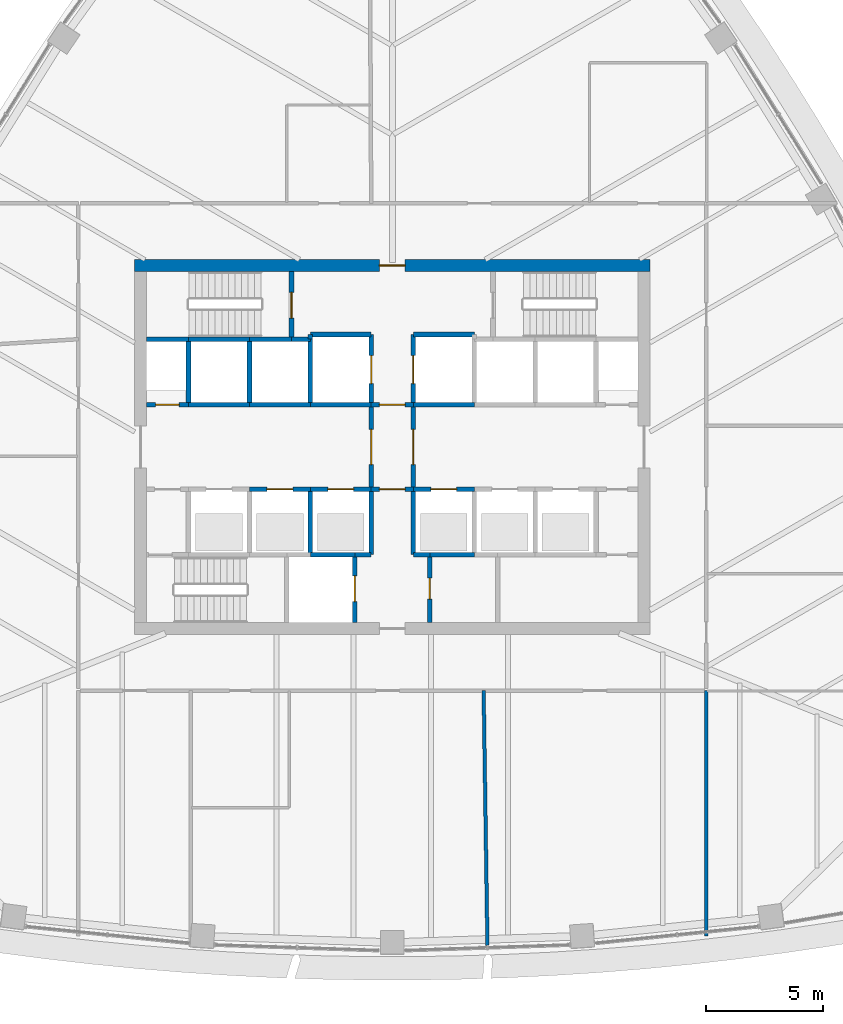
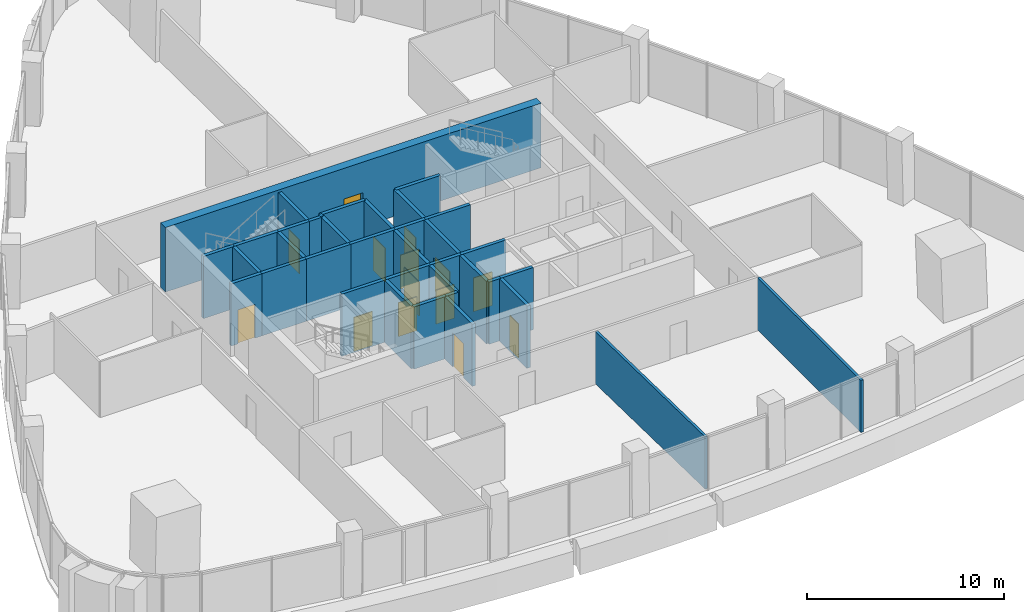
# One storey, part 10 of 16: 37 walls, 14 doors, 14 openings.
"""IFC4 building model written with IfcOpenShell, lengths in metres."""

from ifc_helpers import new_model, si_unit, direction, frame, frame_2d, origin, place, context, subcontext, project, spatial, rectangle, extrude, material, layer, layer_set, type_object, element, fill, save


model = new_model("IFC4")

# Units and contexts
model_context = context("Model", 3, precision=1e-05, world=origin(), true_north=direction((0.0, 1.0)))
body_context = subcontext(model_context, "Body", "Model", "MODEL_VIEW")
ifc_project = project(units=[si_unit("LENGTHUNIT", "METRE"), si_unit("AREAUNIT", "SQUARE_METRE"), si_unit("VOLUMEUNIT", "CUBIC_METRE"), si_unit("PLANEANGLEUNIT", "RADIAN"), si_unit("MASSUNIT", "GRAM", prefix="KILO")], contexts=[model_context])

# Site, building, storey
site_placement = place(None, origin())
site = spatial("IfcSite", under=ifc_project, at=site_placement, CompositionType="ELEMENT")
building_placement = place(site_placement, origin())
building = spatial("IfcBuilding", under=site, at=building_placement, Name="Sierra Prisma Convention Tower", CompositionType="ELEMENT")
storey_placement = place(building_placement, frame((0.0, 0.0, 197.800048828125)))
storey = spatial("IfcBuildingStorey", under=building, at=storey_placement, Name="L44", CompositionType="ELEMENT", Elevation=197.800048828125)

# Wall, opening, door
ifc_material_1 = material(Name="Concrete C30/37", Category="concrete")
ifc_layer_1 = layer(ifc_material_1, 0.199951171875)
ifc_layer_set_1 = layer_set([ifc_layer_1], Name="Core wall RC 200 C30/37")
wall_type_1 = type_object("IfcWallType", Name="Core wall RC 200 C30/37", PredefinedType="SOLIDWALL", material=ifc_layer_set_1)
wall_1_placement = place(storey_placement, frame((-8.699951171875, 1.800048828125, 0.0), z_axis=(0.0, 0.0, 1.0), x_axis=(-1.0, 0.0, 0.0)))
wall_1 = element("IfcWall", 1, at=wall_1_placement, inside=storey, type_object=wall_type_1, Name="Core wall L44 3", PredefinedType="SOLIDWALL", context=body_context, shape_type="SweptSolid", body=[
    extrude(rectangle(XDim=1.800048828125, YDim=0.199951171875, at=frame_2d((0.89990234375, 0.0))), origin(), (0.0, 0.0, 1.0), 3.849853515625),
])
opening_1_placement = place(wall_1_placement, frame((0.39990234375, 0.0, 0.0)))
opening_1 = element("IfcOpeningElement", 2, at=opening_1_placement, cuts=wall_1, Name="Opening L44-D015", PredefinedType="OPENING", context=body_context, shape_type="SweptSolid", body=[
    extrude(rectangle(XDim=1.0, YDim=2.10009765625, at=frame_2d((0.5, 1.050048828125))), frame((0.0, 0.10009765625, 0.0), z_axis=(0.0, -1.0, 0.0), x_axis=(1.0, 0.0, 0.0)), (0.0, 0.0, 1.0), 0.199951171875),
])
ifc_material_2 = material(Name="Steel fire door leaf", Category="steel")
door_type_1 = type_object("IfcDoorType", Name="Door 1000x2100 FD60S", OperationType="SINGLE_SWING_LEFT", PredefinedType="DOOR", material=ifc_material_2)
door_1_placement = place(opening_1_placement, origin())
door_1 = element("IfcDoor", 3, at=door_1_placement, inside=storey, type_object=door_type_1, Name="Door L44 29", OperationType="SINGLE_SWING_LEFT", OverallHeight=2.10009765625, OverallWidth=1.0, PredefinedType="DOOR", context=body_context, shape_type="SweptSolid", body=[
    extrude(rectangle(XDim=1.0, YDim=2.10009765625, at=frame_2d((0.5, 1.050048828125))), frame((0.0, 0.02490234375, 0.0), z_axis=(0.0, -1.0, 0.0), x_axis=(1.0, 0.0, 0.0)), (0.0, 0.0, 1.0), 0.050048828125),
])
fill(opening_1, door_1)

# Walls
wall_2_placement = place(storey_placement, frame((-8.699951171875, 4.60009765625, 0.0), z_axis=(0.0, 0.0, 1.0), x_axis=(-1.0, 0.0, 0.0)))
element("IfcWall", 4, at=wall_2_placement, inside=storey, type_object=wall_type_1, Name="Core wall L44 4", PredefinedType="SOLIDWALL", context=body_context, shape_type="SweptSolid", body=[
    extrude(rectangle(XDim=1.800048828125, YDim=0.199951171875, at=frame_2d((0.89990234375, 0.0))), origin(), (0.0, 0.0, 1.0), 3.849853515625),
])
wall_3_placement = place(storey_placement, frame((-6.10009765625, 1.800048828125, 0.0), z_axis=(0.0, 0.0, 1.0), x_axis=(-1.0, 0.0, 0.0)))
element("IfcWall", 5, at=wall_3_placement, inside=storey, type_object=wall_type_1, Name="Core wall L44 8", PredefinedType="SOLIDWALL", context=body_context, shape_type="SweptSolid", body=[
    extrude(rectangle(XDim=2.599853515625, YDim=0.199951171875, at=frame_2d((1.2998046875, 0.0))), origin(), (0.0, 0.0, 1.0), 3.849853515625),
])
wall_4_placement = place(storey_placement, frame((-8.699951171875, 1.800048828125, 0.0), z_axis=(0.0, 0.0, 1.0), x_axis=(0.0, 1.0, 0.0)))
element("IfcWall", 6, at=wall_4_placement, inside=storey, type_object=wall_type_1, Name="Core wall L44 9", PredefinedType="SOLIDWALL", context=body_context, shape_type="SweptSolid", body=[
    extrude(rectangle(XDim=2.800048828125, YDim=0.199951171875, at=frame_2d((1.39990234375, 0.0))), origin(), (0.0, 0.0, 1.0), 3.849853515625),
])
wall_5_placement = place(storey_placement, frame((-6.10009765625, 4.60009765625, 0.0), z_axis=(0.0, 0.0, 1.0), x_axis=(-1.0, 0.0, 0.0)))
element("IfcWall", 7, at=wall_5_placement, inside=storey, type_object=wall_type_1, Name="Core wall L44 10", PredefinedType="SOLIDWALL", context=body_context, shape_type="SweptSolid", body=[
    extrude(rectangle(XDim=2.599853515625, YDim=0.199951171875, at=frame_2d((1.2998046875, 0.0))), origin(), (0.0, 0.0, 1.0), 3.849853515625),
])

# Wall, opening, door
wall_6_placement = place(storey_placement, frame((-6.10009765625, -1.800048828125, 0.0), z_axis=(0.0, 0.0, 1.0), x_axis=(1.0, 0.0, 0.0)))
wall_6 = element("IfcWall", 8, at=wall_6_placement, inside=storey, type_object=wall_type_1, Name="Core wall L44 13", PredefinedType="SOLIDWALL", context=body_context, shape_type="SweptSolid", body=[
    extrude(rectangle(XDim=2.60009765625, YDim=0.199951171875, at=frame_2d((1.300048828125, 0.0))), origin(), (0.0, 0.0, 1.0), 3.849853515625),
])
opening_2_placement = place(wall_6_placement, frame((0.75, 0.0, 0.0)))
opening_2 = element("IfcOpeningElement", 9, at=opening_2_placement, cuts=wall_6, Name="Opening L44-D002", PredefinedType="OPENING", context=body_context, shape_type="SweptSolid", body=[
    extrude(rectangle(XDim=1.10009765625, YDim=2.10009765625, at=frame_2d((0.550048828125, 1.050048828125))), frame((0.0, 0.10009765625, 0.0), z_axis=(0.0, -1.0, 0.0), x_axis=(1.0, 0.0, 0.0)), (0.0, 0.0, 1.0), 0.199951171875),
])
ifc_material_3 = material(Name="Steel fire door leaf", Category="steel")
door_type_2 = type_object("IfcDoorType", Name="Door 1100x2100 EI 90 sliding lift landing", OperationType="SLIDING_TO_LEFT", PredefinedType="DOOR", material=ifc_material_3)
door_2_placement = place(opening_2_placement, origin())
door_2 = element("IfcDoor", 10, at=door_2_placement, inside=storey, type_object=door_type_2, Name="Door L44 16", OperationType="SLIDING_TO_LEFT", OverallHeight=2.10009765625, OverallWidth=1.10009765625, PredefinedType="DOOR", context=body_context, shape_type="SweptSolid", body=[
    extrude(rectangle(XDim=1.10009765625, YDim=2.10009765625, at=frame_2d((0.550048828125, 1.050048828125))), frame((0.0, 0.02490234375, 0.0), z_axis=(0.0, -1.0, 0.0), x_axis=(1.0, 0.0, 0.0)), (0.0, 0.0, 1.0), 0.050048828125),
])
fill(opening_2, door_2)

# Walls
wall_7_placement = place(storey_placement, frame((-3.5, 1.800048828125, 0.0), z_axis=(0.0, 0.0, 1.0), x_axis=(-1.0, 0.0, 0.0)))
element("IfcWall", 11, at=wall_7_placement, inside=storey, type_object=wall_type_1, Name="Core wall L44 14", PredefinedType="SOLIDWALL", context=body_context, shape_type="SweptSolid", body=[
    extrude(rectangle(XDim=2.60009765625, YDim=0.199951171875, at=frame_2d((1.300048828125, 0.0))), origin(), (0.0, 0.0, 1.0), 3.849853515625),
])
wall_8_placement = place(storey_placement, frame((-6.10009765625, 1.800048828125, 0.0), z_axis=(0.0, 0.0, 1.0), x_axis=(0.0, 1.0, 0.0)))
element("IfcWall", 12, at=wall_8_placement, inside=storey, type_object=wall_type_1, Name="Core wall L44 15", PredefinedType="SOLIDWALL", context=body_context, shape_type="SweptSolid", body=[
    extrude(rectangle(XDim=2.800048828125, YDim=0.199951171875, at=frame_2d((1.39990234375, 0.0))), origin(), (0.0, 0.0, 1.0), 3.849853515625),
])
wall_9_placement = place(storey_placement, frame((-4.300048828125, 4.60009765625, 0.0), z_axis=(0.0, 0.0, 1.0), x_axis=(-1.0, 0.0, 0.0)))
element("IfcWall", 13, at=wall_9_placement, inside=storey, type_object=wall_type_1, Name="Core wall L44 16", PredefinedType="SOLIDWALL", context=body_context, shape_type="SweptSolid", body=[
    extrude(rectangle(XDim=1.800048828125, YDim=0.199951171875, at=frame_2d((0.89990234375, 0.0))), origin(), (0.0, 0.0, 1.0), 3.849853515625),
])
wall_10_placement = place(storey_placement, frame((-3.5, 4.60009765625, 0.0), z_axis=(0.0, 0.0, 1.0), x_axis=(-1.0, 0.0, 0.0)))
element("IfcWall", 14, at=wall_10_placement, inside=storey, type_object=wall_type_1, Name="Core wall L44 19", PredefinedType="SOLIDWALL", context=body_context, shape_type="SweptSolid", body=[
    extrude(rectangle(XDim=0.800048828125, YDim=0.199951171875, at=frame_2d((0.39990234375, 0.0))), origin(), (0.0, 0.0, 1.0), 3.849853515625),
])

# Wall, opening, door
wall_11_placement = place(storey_placement, frame((-4.300048828125, 4.60009765625, 0.0), z_axis=(0.0, 0.0, 1.0), x_axis=(0.0, 1.0, 0.0)))
wall_11 = element("IfcWall", 15, at=wall_11_placement, inside=storey, type_object=wall_type_1, Name="Core wall L44 20", PredefinedType="SOLIDWALL", context=body_context, shape_type="SweptSolid", body=[
    extrude(rectangle(XDim=2.89990234375, YDim=0.199951171875, at=frame_2d((1.449951171875, 0.0))), origin(), (0.0, 0.0, 1.0), 3.849853515625),
])
opening_3_placement = place(wall_11_placement, frame((0.89990234375, 0.0, 0.0)))
opening_3 = element("IfcOpeningElement", 16, at=opening_3_placement, cuts=wall_11, Name="Opening L44-D018", PredefinedType="OPENING", context=body_context, shape_type="SweptSolid", body=[
    extrude(rectangle(XDim=1.10009765625, YDim=2.10009765625, at=frame_2d((0.550048828125, 1.050048828125))), frame((0.0, 0.10009765625, 0.0), z_axis=(0.0, -1.0, 0.0), x_axis=(1.0, 0.0, 0.0)), (0.0, 0.0, 1.0), 0.199951171875),
])
ifc_material_4 = material(Name="Steel fire door leaf", Category="steel")
door_type_3 = type_object("IfcDoorType", Name="Door 1100x2100 FD90S", OperationType="SINGLE_SWING_LEFT", PredefinedType="DOOR", material=ifc_material_4)
door_3_placement = place(opening_3_placement, origin())
door_3 = element("IfcDoor", 17, at=door_3_placement, inside=storey, type_object=door_type_3, Name="Door L44 32", OperationType="SINGLE_SWING_RIGHT", OverallHeight=2.10009765625, OverallWidth=1.10009765625, PredefinedType="DOOR", context=body_context, shape_type="SweptSolid", body=[
    extrude(rectangle(XDim=1.10009765625, YDim=2.10009765625, at=frame_2d((0.550048828125, 1.050048828125))), frame((0.0, 0.02490234375, 0.0), z_axis=(0.0, -1.0, 0.0), x_axis=(1.0, 0.0, 0.0)), (0.0, 0.0, 1.0), 0.050048828125),
])
fill(opening_3, door_3)

# Walls
wall_12_placement = place(storey_placement, frame((-3.5, -4.60009765625, 0.0), z_axis=(0.0, 0.0, 1.0), x_axis=(1.0, 0.0, 0.0)))
element("IfcWall", 18, at=wall_12_placement, inside=storey, type_object=wall_type_1, Name="Core wall L44 21", PredefinedType="SOLIDWALL", context=body_context, shape_type="SweptSolid", body=[
    extrude(rectangle(XDim=1.89990234375, YDim=0.199951171875, at=frame_2d((0.949951171875, 0.0))), origin(), (0.0, 0.0, 1.0), 3.849853515625),
])
wall_13_placement = place(storey_placement, frame((-3.5, -4.60009765625, 0.0), z_axis=(0.0, 0.0, 1.0), x_axis=(0.0, 1.0, 0.0)))
element("IfcWall", 19, at=wall_13_placement, inside=storey, type_object=wall_type_1, Name="Core wall L44 22", PredefinedType="SOLIDWALL", context=body_context, shape_type="SweptSolid", body=[
    extrude(rectangle(XDim=2.800048828125, YDim=0.199951171875, at=frame_2d((1.39990234375, 0.0))), origin(), (0.0, 0.0, 1.0), 3.849853515625),
])

# Wall, opening, door
wall_14_placement = place(storey_placement, frame((-3.5, -1.800048828125, 0.0), z_axis=(0.0, 0.0, 1.0), x_axis=(1.0, 0.0, 0.0)))
wall_14 = element("IfcWall", 20, at=wall_14_placement, inside=storey, type_object=wall_type_1, Name="Core wall L44 23", PredefinedType="SOLIDWALL", context=body_context, shape_type="SweptSolid", body=[
    extrude(rectangle(XDim=2.60009765625, YDim=0.199951171875, at=frame_2d((1.300048828125, 0.0))), origin(), (0.0, 0.0, 1.0), 3.849853515625),
])
opening_4_placement = place(wall_14_placement, frame((0.75, 0.0, 0.0)))
opening_4 = element("IfcOpeningElement", 21, at=opening_4_placement, cuts=wall_14, Name="Opening L44-D003", PredefinedType="OPENING", context=body_context, shape_type="SweptSolid", body=[
    extrude(rectangle(XDim=1.10009765625, YDim=2.10009765625, at=frame_2d((0.550048828125, 1.050048828125))), frame((0.0, 0.10009765625, 0.0), z_axis=(0.0, -1.0, 0.0), x_axis=(1.0, 0.0, 0.0)), (0.0, 0.0, 1.0), 0.199951171875),
])
door_4_placement = place(opening_4_placement, origin())
door_4 = element("IfcDoor", 22, at=door_4_placement, inside=storey, type_object=door_type_2, Name="Door L44 17", OperationType="SLIDING_TO_RIGHT", OverallHeight=2.10009765625, OverallWidth=1.10009765625, PredefinedType="DOOR", context=body_context, shape_type="SweptSolid", body=[
    extrude(rectangle(XDim=1.10009765625, YDim=2.10009765625, at=frame_2d((0.550048828125, 1.050048828125))), frame((0.0, 0.02490234375, 0.0), z_axis=(0.0, -1.0, 0.0), x_axis=(1.0, 0.0, 0.0)), (0.0, 0.0, 1.0), 0.050048828125),
])
fill(opening_4, door_4)

# Walls
wall_15_placement = place(storey_placement, frame((-0.89990234375, 1.800048828125, 0.0), z_axis=(0.0, 0.0, 1.0), x_axis=(-1.0, 0.0, 0.0)))
element("IfcWall", 23, at=wall_15_placement, inside=storey, type_object=wall_type_1, Name="Core wall L44 24", PredefinedType="SOLIDWALL", context=body_context, shape_type="SweptSolid", body=[
    extrude(rectangle(XDim=2.60009765625, YDim=0.199951171875, at=frame_2d((1.300048828125, 0.0))), origin(), (0.0, 0.0, 1.0), 3.849853515625),
])
wall_16_placement = place(storey_placement, frame((-3.5, 4.60009765625, 0.0), z_axis=(0.0, 0.0, 1.0), x_axis=(0.0, -1.0, 0.0)))
element("IfcWall", 24, at=wall_16_placement, inside=storey, type_object=wall_type_1, Name="Core wall L44 25", PredefinedType="SOLIDWALL", context=body_context, shape_type="SweptSolid", body=[
    extrude(rectangle(XDim=2.800048828125, YDim=0.199951171875, at=frame_2d((1.39990234375, 0.0))), origin(), (0.0, 0.0, 1.0), 3.849853515625),
])

# Wall, opening, door
wall_17_placement = place(storey_placement, frame((-0.89990234375, 1.800048828125, 0.0), z_axis=(0.0, 0.0, 1.0), x_axis=(0.0, 1.0, 0.0)))
wall_17 = element("IfcWall", 25, at=wall_17_placement, inside=storey, type_object=wall_type_1, Name="Core wall L44 26", PredefinedType="SOLIDWALL", context=body_context, shape_type="SweptSolid", body=[
    extrude(rectangle(XDim=3.0, YDim=0.199951171875, at=frame_2d((1.5, 0.0))), origin(), (0.0, 0.0, 1.0), 3.849853515625),
])
opening_5_placement = place(wall_17_placement, frame((0.89990234375, 0.0, 0.0)))
opening_5 = element("IfcOpeningElement", 26, at=opening_5_placement, cuts=wall_17, Name="Opening L44-D007", PredefinedType="OPENING", context=body_context, shape_type="SweptSolid", body=[
    extrude(rectangle(XDim=1.199951171875, YDim=2.10009765625, at=frame_2d((0.60009765625, 1.050048828125))), frame((0.0, 0.10009765625, 0.0), z_axis=(0.0, -1.0, 0.0), x_axis=(1.0, 0.0, 0.0)), (0.0, 0.0, 1.0), 0.199951171875),
])
ifc_material_5 = material(Name="Steel fire door leaf", Category="steel")
door_type_4 = type_object("IfcDoorType", Name="Door 1200x2100 EI 90 sliding lift landing", OperationType="SLIDING_TO_LEFT", PredefinedType="DOOR", material=ifc_material_5)
door_5_placement = place(opening_5_placement, origin())
door_5 = element("IfcDoor", 27, at=door_5_placement, inside=storey, type_object=door_type_4, Name="Door L44 21", OperationType="SLIDING_TO_LEFT", OverallHeight=2.10009765625, OverallWidth=1.199951171875, PredefinedType="DOOR", context=body_context, shape_type="SweptSolid", body=[
    extrude(rectangle(XDim=1.199951171875, YDim=2.10009765625, at=frame_2d((0.60009765625, 1.050048828125))), frame((0.0, 0.02490234375, 0.0), z_axis=(0.0, -1.0, 0.0), x_axis=(1.0, 0.0, 0.0)), (0.0, 0.0, 1.0), 0.050048828125),
])
fill(opening_5, door_5)

# Walls
wall_18_placement = place(storey_placement, frame((-0.89990234375, 4.800048828125, 0.0), z_axis=(0.0, 0.0, 1.0), x_axis=(-1.0, 0.0, 0.0)))
element("IfcWall", 28, at=wall_18_placement, inside=storey, type_object=wall_type_1, Name="Core wall L44 27", PredefinedType="SOLIDWALL", context=body_context, shape_type="SweptSolid", body=[
    extrude(rectangle(XDim=2.60009765625, YDim=0.199951171875, at=frame_2d((1.300048828125, 0.0))), origin(), (0.0, 0.0, 1.0), 3.849853515625),
])
wall_19_placement = place(storey_placement, frame((-3.5, 4.800048828125, 0.0), z_axis=(0.0, 0.0, 1.0), x_axis=(0.0, -1.0, 0.0)))
element("IfcWall", 29, at=wall_19_placement, inside=storey, type_object=wall_type_1, Name="Core wall L44 28", PredefinedType="SOLIDWALL", context=body_context, shape_type="SweptSolid", body=[
    extrude(rectangle(XDim=0.199951171875, YDim=0.199951171875, at=frame_2d((0.10009765625, 0.0))), origin(), (0.0, 0.0, 1.0), 3.849853515625),
])

# Wall, opening, door
wall_20_placement = place(storey_placement, frame((-1.60009765625, -7.5, 0.0), z_axis=(0.0, 0.0, 1.0), x_axis=(0.0, 1.0, 0.0)))
wall_20 = element("IfcWall", 30, at=wall_20_placement, inside=storey, type_object=wall_type_1, Name="Core wall L44 29", PredefinedType="SOLIDWALL", context=body_context, shape_type="SweptSolid", body=[
    extrude(rectangle(XDim=2.89990234375, YDim=0.199951171875, at=frame_2d((1.449951171875, 0.0))), origin(), (0.0, 0.0, 1.0), 3.849853515625),
])
opening_6_placement = place(wall_20_placement, frame((0.89990234375, 0.0, 0.0)))
opening_6 = element("IfcOpeningElement", 31, at=opening_6_placement, cuts=wall_20, Name="Opening L44-D009", PredefinedType="OPENING", context=body_context, shape_type="SweptSolid", body=[
    extrude(rectangle(XDim=1.10009765625, YDim=2.10009765625, at=frame_2d((0.550048828125, 1.050048828125))), frame((0.0, 0.10009765625, 0.0), z_axis=(0.0, -1.0, 0.0), x_axis=(1.0, 0.0, 0.0)), (0.0, 0.0, 1.0), 0.199951171875),
])
door_6_placement = place(opening_6_placement, origin())
door_6 = element("IfcDoor", 32, at=door_6_placement, inside=storey, type_object=door_type_2, Name="Door L44 23", OperationType="SLIDING_TO_LEFT", OverallHeight=2.10009765625, OverallWidth=1.10009765625, PredefinedType="DOOR", context=body_context, shape_type="SweptSolid", body=[
    extrude(rectangle(XDim=1.10009765625, YDim=2.10009765625, at=frame_2d((0.550048828125, 1.050048828125))), frame((0.0, 0.02490234375, 0.0), z_axis=(0.0, -1.0, 0.0), x_axis=(1.0, 0.0, 0.0)), (0.0, 0.0, 1.0), 0.050048828125),
])
fill(opening_6, door_6)

# Walls
wall_21_placement = place(storey_placement, frame((-1.60009765625, -4.60009765625, 0.0), z_axis=(0.0, 0.0, 1.0), x_axis=(1.0, 0.0, 0.0)))
element("IfcWall", 33, at=wall_21_placement, inside=storey, type_object=wall_type_1, Name="Core wall L44 30", PredefinedType="SOLIDWALL", context=body_context, shape_type="SweptSolid", body=[
    extrude(rectangle(XDim=0.7001953125, YDim=0.199951171875, at=frame_2d((0.35009765625, 0.0))), origin(), (0.0, 0.0, 1.0), 3.849853515625),
])
wall_22_placement = place(storey_placement, frame((-0.89990234375, -4.60009765625, 0.0), z_axis=(0.0, 0.0, 1.0), x_axis=(0.0, 1.0, 0.0)))
element("IfcWall", 34, at=wall_22_placement, inside=storey, type_object=wall_type_1, Name="Core wall L44 31", PredefinedType="SOLIDWALL", context=body_context, shape_type="SweptSolid", body=[
    extrude(rectangle(XDim=2.800048828125, YDim=0.199951171875, at=frame_2d((1.39990234375, 0.0))), origin(), (0.0, 0.0, 1.0), 3.849853515625),
])

# Wall, opening, door
wall_23_placement = place(storey_placement, frame((-0.89990234375, -1.800048828125, 0.0), z_axis=(0.0, 0.0, 1.0), x_axis=(1.0, 0.0, 0.0)))
wall_23 = element("IfcWall", 35, at=wall_23_placement, inside=storey, type_object=wall_type_1, Name="Core wall L44 32", PredefinedType="SOLIDWALL", context=body_context, shape_type="SweptSolid", body=[
    extrude(rectangle(XDim=1.7998046875, YDim=0.199951171875, at=frame_2d((0.89990234375, 0.0))), origin(), (0.0, 0.0, 1.0), 3.849853515625),
])
opening_7_placement = place(wall_23_placement, frame((0.35009765625, 0.0, 0.0)))
opening_7 = element("IfcOpeningElement", 36, at=opening_7_placement, cuts=wall_23, Name="Opening L44-D014", PredefinedType="OPENING", context=body_context, shape_type="SweptSolid", body=[
    extrude(rectangle(XDim=1.10009765625, YDim=2.10009765625, at=frame_2d((0.550048828125, 1.050048828125))), frame((0.0, 0.10009765625, 0.0), z_axis=(0.0, -1.0, 0.0), x_axis=(1.0, 0.0, 0.0)), (0.0, 0.0, 1.0), 0.199951171875),
])
ifc_material_6 = material(Name="Steel fire door leaf", Category="steel")
door_type_5 = type_object("IfcDoorType", Name="Door 1100x2100 FD30S", OperationType="SINGLE_SWING_LEFT", PredefinedType="DOOR", material=ifc_material_6)
door_7_placement = place(opening_7_placement, origin())
door_7 = element("IfcDoor", 37, at=door_7_placement, inside=storey, type_object=door_type_5, Name="Door L44 28", OperationType="SINGLE_SWING_RIGHT", OverallHeight=2.10009765625, OverallWidth=1.10009765625, PredefinedType="DOOR", context=body_context, shape_type="SweptSolid", body=[
    extrude(rectangle(XDim=1.10009765625, YDim=2.10009765625, at=frame_2d((0.550048828125, 1.050048828125))), frame((0.0, 0.02490234375, 0.0), z_axis=(0.0, -1.0, 0.0), x_axis=(1.0, 0.0, 0.0)), (0.0, 0.0, 1.0), 0.050048828125),
])
fill(opening_7, door_7)

wall_24_placement = place(storey_placement, frame((-0.89990234375, 1.800048828125, 0.0), z_axis=(0.0, 0.0, 1.0), x_axis=(0.0, -1.0, 0.0)))
wall_24 = element("IfcWall", 38, at=wall_24_placement, inside=storey, type_object=wall_type_1, Name="Core wall L44 33", PredefinedType="SOLIDWALL", context=body_context, shape_type="SweptSolid", body=[
    extrude(rectangle(XDim=3.60009765625, YDim=0.199951171875, at=frame_2d((1.800048828125, 0.0))), origin(), (0.0, 0.0, 1.0), 3.849853515625),
])
opening_8_placement = place(wall_24_placement, frame((1.050048828125, 0.0, 0.0)))
opening_8 = element("IfcOpeningElement", 39, at=opening_8_placement, cuts=wall_24, Name="Opening L44-D010", PredefinedType="OPENING", context=body_context, shape_type="SweptSolid", body=[
    extrude(rectangle(XDim=1.5, YDim=2.10009765625, at=frame_2d((0.75, 1.050048828125))), frame((0.0, 0.10009765625, 0.0), z_axis=(0.0, -1.0, 0.0), x_axis=(1.0, 0.0, 0.0)), (0.0, 0.0, 1.0), 0.199951171875),
])
ifc_material_7 = material(Name="Steel fire door leaf", Category="steel")
door_type_6 = type_object("IfcDoorType", Name="Door 1500x2100 FD30S", OperationType="DOUBLE_DOOR_SINGLE_SWING", PredefinedType="DOOR", material=ifc_material_7)
door_8_placement = place(opening_8_placement, origin())
door_8 = element("IfcDoor", 40, at=door_8_placement, inside=storey, type_object=door_type_6, Name="Door L44 24", OperationType="DOUBLE_DOOR_SINGLE_SWING", OverallHeight=2.10009765625, OverallWidth=1.5, PredefinedType="DOOR", context=body_context, shape_type="SweptSolid", body=[
    extrude(rectangle(XDim=1.5, YDim=2.10009765625, at=frame_2d((0.75, 1.050048828125))), frame((0.0, 0.02490234375, 0.0), z_axis=(0.0, -1.0, 0.0), x_axis=(1.0, 0.0, 0.0)), (0.0, 0.0, 1.0), 0.050048828125),
])
fill(opening_8, door_8)

wall_25_placement = place(storey_placement, frame((0.89990234375, 1.800048828125, 0.0), z_axis=(0.0, 0.0, 1.0), x_axis=(-1.0, 0.0, 0.0)))
wall_25 = element("IfcWall", 41, at=wall_25_placement, inside=storey, type_object=wall_type_1, Name="Core wall L44 34", PredefinedType="SOLIDWALL", context=body_context, shape_type="SweptSolid", body=[
    extrude(rectangle(XDim=1.7998046875, YDim=0.199951171875, at=frame_2d((0.89990234375, 0.0))), origin(), (0.0, 0.0, 1.0), 3.849853515625),
])
opening_9_placement = place(wall_25_placement, frame((0.35009765625, 0.0, 0.0)))
opening_9 = element("IfcOpeningElement", 42, at=opening_9_placement, cuts=wall_25, Name="Opening L44-D013", PredefinedType="OPENING", context=body_context, shape_type="SweptSolid", body=[
    extrude(rectangle(XDim=1.10009765625, YDim=2.10009765625, at=frame_2d((0.550048828125, 1.050048828125))), frame((0.0, 0.10009765625, 0.0), z_axis=(0.0, -1.0, 0.0), x_axis=(1.0, 0.0, 0.0)), (0.0, 0.0, 1.0), 0.199951171875),
])
ifc_material_8 = material(Name="Steel fire door leaf", Category="steel")
door_type_7 = type_object("IfcDoorType", Name="Door 1100x2100 FD60S", OperationType="SINGLE_SWING_LEFT", PredefinedType="DOOR", material=ifc_material_8)
door_9_placement = place(opening_9_placement, origin())
door_9 = element("IfcDoor", 43, at=door_9_placement, inside=storey, type_object=door_type_7, Name="Door L44 27", OperationType="SINGLE_SWING_LEFT", OverallHeight=2.10009765625, OverallWidth=1.10009765625, PredefinedType="DOOR", context=body_context, shape_type="SweptSolid", body=[
    extrude(rectangle(XDim=1.10009765625, YDim=2.10009765625, at=frame_2d((0.550048828125, 1.050048828125))), frame((0.0, 0.02490234375, 0.0), z_axis=(0.0, -1.0, 0.0), x_axis=(1.0, 0.0, 0.0)), (0.0, 0.0, 1.0), 0.050048828125),
])
fill(opening_9, door_9)

wall_26_placement = place(storey_placement, frame((0.89990234375, -1.800048828125, 0.0), z_axis=(0.0, 0.0, 1.0), x_axis=(1.0, 0.0, 0.0)))
wall_26 = element("IfcWall", 44, at=wall_26_placement, inside=storey, type_object=wall_type_1, Name="Core wall L44 35", PredefinedType="SOLIDWALL", context=body_context, shape_type="SweptSolid", body=[
    extrude(rectangle(XDim=2.60009765625, YDim=0.199951171875, at=frame_2d((1.300048828125, 0.0))), origin(), (0.0, 0.0, 1.0), 3.849853515625),
])
opening_10_placement = place(wall_26_placement, frame((0.75, 0.0, 0.0)))
opening_10 = element("IfcOpeningElement", 45, at=opening_10_placement, cuts=wall_26, Name="Opening L44-D004", PredefinedType="OPENING", context=body_context, shape_type="SweptSolid", body=[
    extrude(rectangle(XDim=1.10009765625, YDim=2.10009765625, at=frame_2d((0.550048828125, 1.050048828125))), frame((0.0, 0.10009765625, 0.0), z_axis=(0.0, -1.0, 0.0), x_axis=(1.0, 0.0, 0.0)), (0.0, 0.0, 1.0), 0.199951171875),
])
door_10_placement = place(opening_10_placement, origin())
door_10 = element("IfcDoor", 46, at=door_10_placement, inside=storey, type_object=door_type_2, Name="Door L44 18", OperationType="SLIDING_TO_LEFT", OverallHeight=2.10009765625, OverallWidth=1.10009765625, PredefinedType="DOOR", context=body_context, shape_type="SweptSolid", body=[
    extrude(rectangle(XDim=1.10009765625, YDim=2.10009765625, at=frame_2d((0.550048828125, 1.050048828125))), frame((0.0, 0.02490234375, 0.0), z_axis=(0.0, -1.0, 0.0), x_axis=(1.0, 0.0, 0.0)), (0.0, 0.0, 1.0), 0.050048828125),
])
fill(opening_10, door_10)

wall_27_placement = place(storey_placement, frame((0.89990234375, -1.800048828125, 0.0), z_axis=(0.0, 0.0, 1.0), x_axis=(0.0, 1.0, 0.0)))
wall_27 = element("IfcWall", 47, at=wall_27_placement, inside=storey, type_object=wall_type_1, Name="Core wall L44 36", PredefinedType="SOLIDWALL", context=body_context, shape_type="SweptSolid", body=[
    extrude(rectangle(XDim=3.60009765625, YDim=0.199951171875, at=frame_2d((1.800048828125, 0.0))), origin(), (0.0, 0.0, 1.0), 3.849853515625),
])
opening_11_placement = place(wall_27_placement, frame((1.050048828125, 0.0, 0.0)))
opening_11 = element("IfcOpeningElement", 48, at=opening_11_placement, cuts=wall_27, Name="Opening L44-D011", PredefinedType="OPENING", context=body_context, shape_type="SweptSolid", body=[
    extrude(rectangle(XDim=1.5, YDim=2.10009765625, at=frame_2d((0.75, 1.050048828125))), frame((0.0, 0.10009765625, 0.0), z_axis=(0.0, -1.0, 0.0), x_axis=(1.0, 0.0, 0.0)), (0.0, 0.0, 1.0), 0.199951171875),
])
door_11_placement = place(opening_11_placement, origin())
door_11 = element("IfcDoor", 49, at=door_11_placement, inside=storey, type_object=door_type_6, Name="Door L44 25", OperationType="DOUBLE_DOOR_SINGLE_SWING", OverallHeight=2.10009765625, OverallWidth=1.5, PredefinedType="DOOR", context=body_context, shape_type="SweptSolid", body=[
    extrude(rectangle(XDim=1.5, YDim=2.10009765625, at=frame_2d((0.75, 1.050048828125))), frame((0.0, 0.02490234375, 0.0), z_axis=(0.0, -1.0, 0.0), x_axis=(1.0, 0.0, 0.0)), (0.0, 0.0, 1.0), 0.050048828125),
])
fill(opening_11, door_11)

# Walls
wall_28_placement = place(storey_placement, frame((0.89990234375, -1.800048828125, 0.0), z_axis=(0.0, 0.0, 1.0), x_axis=(0.0, -1.0, 0.0)))
element("IfcWall", 50, at=wall_28_placement, inside=storey, type_object=wall_type_1, Name="Core wall L44 37", PredefinedType="SOLIDWALL", context=body_context, shape_type="SweptSolid", body=[
    extrude(rectangle(XDim=2.800048828125, YDim=0.199951171875, at=frame_2d((1.39990234375, 0.0))), origin(), (0.0, 0.0, 1.0), 3.849853515625),
])
wall_29_placement = place(storey_placement, frame((0.89990234375, -4.60009765625, 0.0), z_axis=(0.0, 0.0, 1.0), x_axis=(1.0, 0.0, 0.0)))
element("IfcWall", 51, at=wall_29_placement, inside=storey, type_object=wall_type_1, Name="Core wall L44 38", PredefinedType="SOLIDWALL", context=body_context, shape_type="SweptSolid", body=[
    extrude(rectangle(XDim=0.7001953125, YDim=0.199951171875, at=frame_2d((0.35009765625, 0.0))), origin(), (0.0, 0.0, 1.0), 3.849853515625),
])
for number, where, z_axis, x_axis, name in (
    (52, (3.5, 1.800048828125, 0.0), (0.0, 0.0, 1.0), (-1.0, 0.0, 0.0), "Core wall L44 39"),
    (53, (3.5, 4.800048828125, 0.0), (0.0, 0.0, 1.0), (-1.0, 0.0, 0.0), "Core wall L44 41"),
):
    element("IfcWall", number, at=place(storey_placement, frame(where, z_axis=z_axis, x_axis=x_axis)), inside=storey, type_object=wall_type_1, Name=name, PredefinedType="SOLIDWALL", context=body_context, shape_type="SweptSolid", body=[
        extrude(rectangle(XDim=2.60009765625, YDim=0.199951171875, at=frame_2d((1.300048828125, 0.0))), origin(), (0.0, 0.0, 1.0), 3.849853515625),
    ])

# Wall, opening, door
wall_30_placement = place(storey_placement, frame((0.89990234375, 4.800048828125, 0.0), z_axis=(0.0, 0.0, 1.0), x_axis=(0.0, -1.0, 0.0)))
wall_30 = element("IfcWall", 54, at=wall_30_placement, inside=storey, type_object=wall_type_1, Name="Core wall L44 42", PredefinedType="SOLIDWALL", context=body_context, shape_type="SweptSolid", body=[
    extrude(rectangle(XDim=3.0, YDim=0.199951171875, at=frame_2d((1.5, 0.0))), origin(), (0.0, 0.0, 1.0), 3.849853515625),
])
opening_12_placement = place(wall_30_placement, frame((0.89990234375, 0.0, 0.0)))
opening_12 = element("IfcOpeningElement", 55, at=opening_12_placement, cuts=wall_30, Name="Opening L44-D008", PredefinedType="OPENING", context=body_context, shape_type="SweptSolid", body=[
    extrude(rectangle(XDim=1.199951171875, YDim=2.10009765625, at=frame_2d((0.60009765625, 1.050048828125))), frame((0.0, 0.10009765625, 0.0), z_axis=(0.0, -1.0, 0.0), x_axis=(1.0, 0.0, 0.0)), (0.0, 0.0, 1.0), 0.199951171875),
])
door_12_placement = place(opening_12_placement, origin())
door_12 = element("IfcDoor", 56, at=door_12_placement, inside=storey, type_object=door_type_4, Name="Door L44 22", OperationType="SLIDING_TO_LEFT", OverallHeight=2.10009765625, OverallWidth=1.199951171875, PredefinedType="DOOR", context=body_context, shape_type="SweptSolid", body=[
    extrude(rectangle(XDim=1.199951171875, YDim=2.10009765625, at=frame_2d((0.60009765625, 1.050048828125))), frame((0.0, 0.02490234375, 0.0), z_axis=(0.0, -1.0, 0.0), x_axis=(1.0, 0.0, 0.0)), (0.0, 0.0, 1.0), 0.050048828125),
])
fill(opening_12, door_12)

wall_31_placement = place(storey_placement, frame((1.60009765625, -4.60009765625, 0.0), z_axis=(0.0, 0.0, 1.0), x_axis=(0.0, -1.0, 0.0)))
wall_31 = element("IfcWall", 57, at=wall_31_placement, inside=storey, type_object=wall_type_1, Name="Core wall L44 43", PredefinedType="SOLIDWALL", context=body_context, shape_type="SweptSolid", body=[
    extrude(rectangle(XDim=2.89990234375, YDim=0.199951171875, at=frame_2d((1.449951171875, 0.0))), origin(), (0.0, 0.0, 1.0), 3.849853515625),
])
opening_13_placement = place(wall_31_placement, frame((1.0, 0.0, 0.0)))
opening_13 = element("IfcOpeningElement", 58, at=opening_13_placement, cuts=wall_31, Name="Opening L44-D022", PredefinedType="OPENING", context=body_context, shape_type="SweptSolid", body=[
    extrude(rectangle(XDim=0.89990234375, YDim=2.10009765625, at=frame_2d((0.449951171875, 1.050048828125))), frame((0.0, 0.10009765625, 0.0), z_axis=(0.0, -1.0, 0.0), x_axis=(1.0, 0.0, 0.0)), (0.0, 0.0, 1.0), 0.199951171875),
])
ifc_material_9 = material(Name="Steel fire door leaf", Category="steel")
door_type_8 = type_object("IfcDoorType", Name="Door 900x2100 FD30S", OperationType="SINGLE_SWING_LEFT", PredefinedType="DOOR", material=ifc_material_9)
door_13_placement = place(opening_13_placement, origin())
door_13 = element("IfcDoor", 59, at=door_13_placement, inside=storey, type_object=door_type_8, Name="Door L44 36", OperationType="SINGLE_SWING_LEFT", OverallHeight=2.10009765625, OverallWidth=0.89990234375, PredefinedType="DOOR", context=body_context, shape_type="SweptSolid", body=[
    extrude(rectangle(XDim=0.89990234375, YDim=2.10009765625, at=frame_2d((0.449951171875, 1.050048828125))), frame((0.0, 0.02490234375, 0.0), z_axis=(0.0, -1.0, 0.0), x_axis=(1.0, 0.0, 0.0)), (0.0, 0.0, 1.0), 0.050048828125),
])
fill(opening_13, door_13)

# Wall
wall_32_placement = place(storey_placement, frame((3.5, -4.60009765625, 0.0), z_axis=(0.0, 0.0, 1.0), x_axis=(-1.0, 0.0, 0.0)))
element("IfcWall", 60, at=wall_32_placement, inside=storey, type_object=wall_type_1, Name="Core wall L44 44", PredefinedType="SOLIDWALL", context=body_context, shape_type="SweptSolid", body=[
    extrude(rectangle(XDim=1.89990234375, YDim=0.199951171875, at=frame_2d((0.949951171875, 0.0))), origin(), (0.0, 0.0, 1.0), 3.849853515625),
])

# Wall, opening, door
ifc_material_10 = material(Name="Concrete C60/75", Category="concrete")
ifc_layer_2 = layer(ifc_material_10, 0.5)
ifc_layer_set_2 = layer_set([ifc_layer_2], Name="Core wall RC 500 C60/75")
wall_type_2 = type_object("IfcWallType", Name="Core wall RC 500 C60/75", PredefinedType="SHEAR", material=ifc_layer_set_2)
wall_33_placement = place(storey_placement, frame((-11.0, 7.75, 0.0), z_axis=(0.0, 0.0, 1.0), x_axis=(1.0, 0.0, 0.0)))
wall_33 = element("IfcWall", 61, at=wall_33_placement, inside=storey, type_object=wall_type_2, Name="Core wall N L44", PredefinedType="SHEAR", context=body_context, shape_type="SweptSolid", body=[
    extrude(rectangle(XDim=22.0, YDim=0.5, at=frame_2d((11.0, 0.0))), origin(), (0.0, 0.0, 1.0), 4.0),
])
opening_14_placement = place(wall_33_placement, frame((10.449951171875, 0.0, 0.0)))
opening_14 = element("IfcOpeningElement", 62, at=opening_14_placement, cuts=wall_33, Name="Opening L44-D038", PredefinedType="OPENING", context=body_context, shape_type="SweptSolid", body=[
    extrude(rectangle(XDim=1.10009765625, YDim=2.10009765625, at=frame_2d((0.550048828125, 1.050048828125))), frame((0.0, 0.25, 0.0), z_axis=(0.0, -1.0, 0.0), x_axis=(1.0, 0.0, 0.0)), (0.0, 0.0, 1.0), 0.5),
])
door_14_placement = place(opening_14_placement, origin())
door_14 = element("IfcDoor", 63, at=door_14_placement, inside=storey, type_object=door_type_7, Name="Door L44 39", OperationType="SINGLE_SWING_RIGHT", OverallHeight=2.10009765625, OverallWidth=1.10009765625, PredefinedType="DOOR", context=body_context, shape_type="SweptSolid", body=[
    extrude(rectangle(XDim=1.10009765625, YDim=2.10009765625, at=frame_2d((0.550048828125, 1.050048828125))), frame((0.0, 0.02490234375, 0.0), z_axis=(0.0, -1.0, 0.0), x_axis=(1.0, 0.0, 0.0)), (0.0, 0.0, 1.0), 0.050048828125),
])
fill(opening_14, door_14)

# Walls
ifc_material_11 = material(Name="Gypsum board partition", Category="gypsum")
ifc_layer_3 = layer(ifc_material_11, 0.14990234375)
ifc_layer_set_3 = layer_set([ifc_layer_3], Name="Party wall 150 gypsum")
wall_type_3 = type_object("IfcWallType", Name="Party wall 150 gypsum", PredefinedType="PARTITIONING", material=ifc_layer_set_3)
wall_34_placement = place(storey_placement, frame((3.89990234375, -10.39990234375, 0.0), z_axis=(0.0, 0.0, 1.0), x_axis=(0.014814851671, -0.999890254063, 0.0)))
element("IfcWall", 64, at=wall_34_placement, inside=storey, type_object=wall_type_3, Name="Partition L44 party 6", PredefinedType="PARTITIONING", context=body_context, shape_type="SweptSolid", body=[
    extrude(rectangle(XDim=10.87646484375, YDim=0.14990234375, at=frame_2d((5.438232421875, 0.0))), origin(), (0.0, 0.0, 1.0), 3.23388671875),
])
wall_35_placement = place(storey_placement, frame((13.39990234375, -10.39990234375, 0.0), z_axis=(0.0, 0.0, 1.0), x_axis=(0.0, -1.0, 0.0)))
element("IfcWall", 65, at=wall_35_placement, inside=storey, type_object=wall_type_3, Name="Partition L44 party 7", PredefinedType="PARTITIONING", context=body_context, shape_type="SweptSolid", body=[
    extrude(rectangle(XDim=10.489990234375, YDim=0.14990234375, at=frame_2d((5.2451171875, 0.0))), origin(), (0.0, 0.0, 1.0), 3.23388671875),
])

save(model, "model.ifc")
